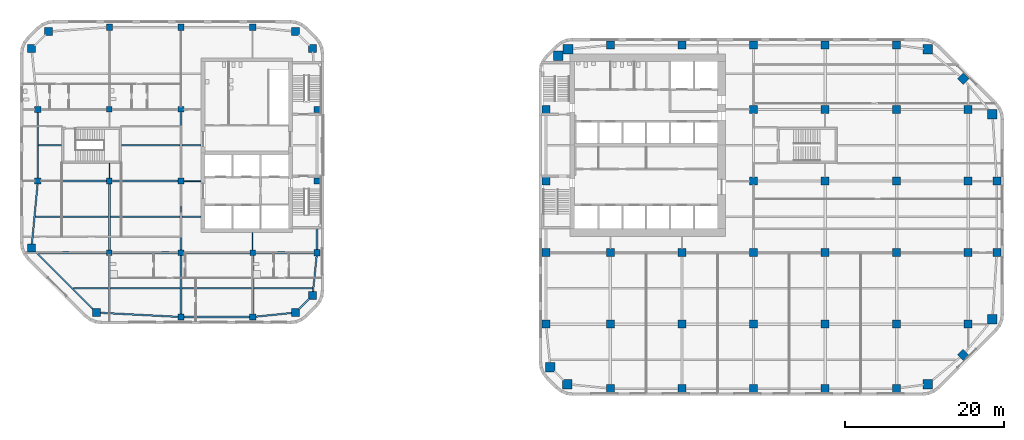
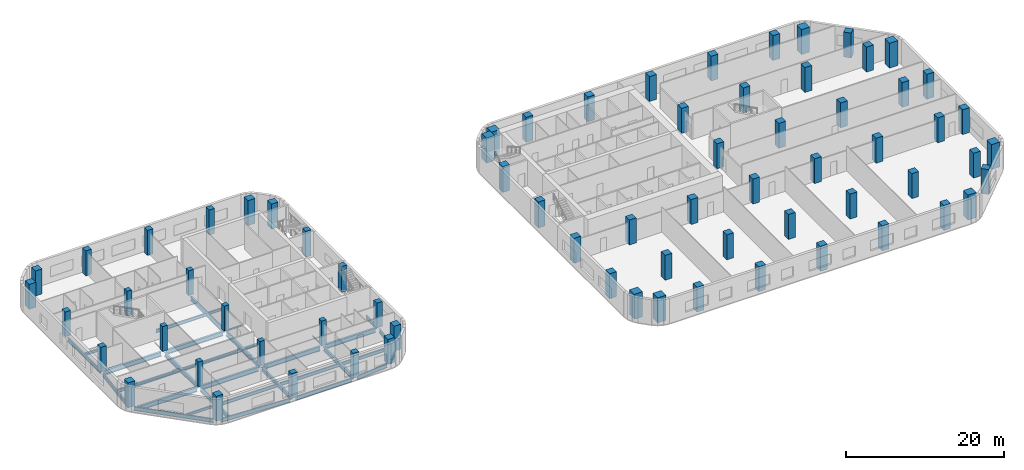
# One storey, part 1 of 15: 71 columns, 34 beams.
"""IFC4 building model written with IfcOpenShell, lengths in metres."""

from ifc_helpers import new_model, si_unit, direction, frame, origin, origin_2d, place, context, subcontext, project, spatial, rectangle, i_section, extrude, material, material_profile, profile_set, type_object, element, save


model = new_model("IFC4")

# Units and contexts
model_context = context("Model", 3, precision=1e-05, world=origin(), true_north=direction((0.0, 1.0)))
body_context = subcontext(model_context, "Body", "Model", "MODEL_VIEW")
ifc_project = project(units=[si_unit("LENGTHUNIT", "METRE"), si_unit("AREAUNIT", "SQUARE_METRE"), si_unit("VOLUMEUNIT", "CUBIC_METRE"), si_unit("PLANEANGLEUNIT", "RADIAN"), si_unit("MASSUNIT", "GRAM", prefix="KILO")], contexts=[model_context])

# Site, building, storey
site_placement = place(None, origin())
site = spatial("IfcSite", under=ifc_project, at=site_placement, CompositionType="ELEMENT")
building_placement = place(site_placement, origin())
building = spatial("IfcBuilding", under=site, at=building_placement, Name="Cinnabar Reach Civic Tower", CompositionType="ELEMENT")
storey_placement = place(building_placement, frame((0.0, 0.0, 63.0)))
storey = spatial("IfcBuildingStorey", under=building, at=storey_placement, Name="L14", CompositionType="ELEMENT", Elevation=63.0)

# Columns
ifc_material_1 = material(Name="Concrete C70", Category="concrete")
ifc_material_profile_1 = material_profile(ifc_material_1, rectangle(XDim=1.0, YDim=1.0, at=origin_2d()), Name="RC1000")
ifc_profile_set_1 = profile_set([ifc_material_profile_1], Name="Concrete C70")
column_type_1 = type_object("IfcColumnType", Name="RC1000 column R 180", PredefinedType="COLUMN", material=ifc_profile_set_1)
for number, where, z_axis, x_axis, name in (
    (1, (-55.6481, 10.4531, 0.0), (0.0, 0.0, 1.0), (1.0, 0.0, 0.0), "Column T2-Z2-CC0"),
    (2, (-30.6019, 10.4531, 0.0), (0.0, 0.0, 1.0), (1.0, 0.0, 0.0), "Column T2-Z2-CC1"),
    (3, (-28.4531, 12.6019, 0.0), (0.0, 0.0, 1.0), (1.0, 0.0, 0.0), "Column T2-Z2-CC2"),
    (4, (-28.4531, 43.6481, 0.0), (0.0, 0.0, 1.0), (1.0, 0.0, 0.0), "Column T2-Z2-CC3"),
    (5, (-30.6019, 45.7969, 0.0), (0.0, 0.0, 1.0), (1.0, 0.0, 0.0), "Column T2-Z2-CC4"),
    (6, (-61.6481, 45.7969, 0.0), (0.0, 0.0, 1.0), (1.0, 0.0, 0.0), "Column T2-Z2-CC5"),
    (7, (-63.7969, 43.6481, 0.0), (0.0, 0.0, 1.0), (1.0, 0.0, 0.0), "Column T2-Z2-CC6"),
    (8, (-63.7969, 18.6019, 0.0), (0.0, 0.0, 1.0), (1.0, 0.0, 0.0), "Column T2-Z2-CC7"),
):
    element("IfcColumn", number, at=place(storey_placement, frame(where, z_axis=z_axis, x_axis=x_axis)), inside=storey, type_object=column_type_1, Name=name, PredefinedType="COLUMN", context=body_context, shape_type="SweptSolid", body=[
        extrude(rectangle(XDim=1.0, YDim=1.0, at=origin_2d()), origin(), (0.0, 0.0, 1.0), 3.85),
    ])
ifc_material_profile_2 = material_profile(ifc_material_1, rectangle(XDim=1.0, YDim=1.0, at=origin_2d()), Name="RC1000")
ifc_profile_set_2 = profile_set([ifc_material_profile_2], Name="Concrete C70")
column_type_2 = type_object("IfcColumnType", Name="RC1000 column R 240", PredefinedType="COLUMN", material=ifc_profile_set_2)
for number, where, z_axis, x_axis, name in (
    (9, (9.0, 0.9, 0.0), (0.0, 0.0, 1.0), (1.0, 0.0, 0.0), "Column T1-Z1-F0-1"),
    (10, (18.0, 0.9, 0.0), (0.0, 0.0, 1.0), (1.0, 0.0, 0.0), "Column T1-Z1-F0-2"),
    (11, (27.0, 0.9, 0.0), (0.0, 0.0, 1.0), (1.0, 0.0, 0.0), "Column T1-Z1-F0-3"),
    (12, (36.0, 0.9, 0.0), (0.0, 0.0, 1.0), (1.0, 0.0, 0.0), "Column T1-Z1-F0-4"),
    (13, (45.0, 0.9, 0.0), (0.0, 0.0, 1.0), (1.0, 0.0, 0.0), "Column T1-Z1-F0-5"),
    (14, (53.3636, 5.1364, 0.0), (0.0, 0.0, 1.0), (0.707106781187, 0.707106781187, 0.0), "Column T1-Z1-F1-M"),
    (15, (57.6, 18.0, 0.0), (0.0, 0.0, 1.0), (1.0, 0.0, 0.0), "Column T1-Z1-F2-2"),
    (16, (57.6, 27.0, 0.0), (0.0, 0.0, 1.0), (1.0, 0.0, 0.0), "Column T1-Z1-F2-3"),
    (17, (53.3636, 39.8636, 0.0), (0.0, 0.0, 1.0), (0.707106781187, 0.707106781187, 0.0), "Column T1-Z1-F3-M"),
    (18, (9.0, 44.1, 0.0), (0.0, 0.0, 1.0), (1.0, 0.0, 0.0), "Column T1-Z1-F4-1"),
    (19, (18.0, 44.1, 0.0), (0.0, 0.0, 1.0), (1.0, 0.0, 0.0), "Column T1-Z1-F4-2"),
    (20, (27.0, 44.1, 0.0), (0.0, 0.0, 1.0), (1.0, 0.0, 0.0), "Column T1-Z1-F4-3"),
    (21, (36.0, 44.1, 0.0), (0.0, 0.0, 1.0), (1.0, 0.0, 0.0), "Column T1-Z1-F4-4"),
    (22, (45.0, 44.1, 0.0), (0.0, 0.0, 1.0), (1.0, 0.0, 0.0), "Column T1-Z1-F4-5"),
    (23, (0.9, 9.0, 0.0), (0.0, 0.0, 1.0), (1.0, 0.0, 0.0), "Column T1-Z1-F6-1"),
    (24, (0.9, 18.0, 0.0), (0.0, 0.0, 1.0), (1.0, 0.0, 0.0), "Column T1-Z1-F6-2"),
):
    element("IfcColumn", number, at=place(storey_placement, frame(where, z_axis=z_axis, x_axis=x_axis)), inside=storey, type_object=column_type_2, Name=name, PredefinedType="COLUMN", context=body_context, shape_type="SweptSolid", body=[
        extrude(rectangle(XDim=1.0, YDim=1.0, at=origin_2d()), origin(), (0.0, 0.0, 1.0), 3.85),
    ])
for number, where, z_axis, x_axis, name in (
    (25, (0.9, 27.0, 0.0), (0.0, 0.0, 1.0), (1.0, 0.0, 0.0), "Column T1-Z1-F6-3"),
    (26, (0.9, 36.0, 0.0), (0.0, 0.0, 1.0), (1.0, 0.0, 0.0), "Column T1-Z1-F6-4"),
):
    element("IfcColumn", number, at=place(storey_placement, frame(where, z_axis=z_axis, x_axis=x_axis)), inside=storey, type_object=column_type_2, Name=name, PredefinedType="COLUMN", context=body_context, shape_type="SweptSolid", body=[
        extrude(rectangle(XDim=1.0, YDim=1.0, at=origin_2d()), origin(), (0.0, 0.0, 1.0), 4.0),
    ])
for number, where, z_axis, x_axis, name in (
    (27, (9.0, 9.0, 0.0), (0.0, 0.0, 1.0), (1.0, 0.0, 0.0), "Column T1-Z1-I9_9"),
    (28, (9.0, 18.0, 0.0), (0.0, 0.0, 1.0), (1.0, 0.0, 0.0), "Column T1-Z1-I9_18"),
    (29, (18.0, 9.0, 0.0), (0.0, 0.0, 1.0), (1.0, 0.0, 0.0), "Column T1-Z1-I18_9"),
    (30, (18.0, 18.0, 0.0), (0.0, 0.0, 1.0), (1.0, 0.0, 0.0), "Column T1-Z1-I18_18"),
    (31, (27.0, 9.0, 0.0), (0.0, 0.0, 1.0), (1.0, 0.0, 0.0), "Column T1-Z1-I27_9"),
    (32, (27.0, 18.0, 0.0), (0.0, 0.0, 1.0), (1.0, 0.0, 0.0), "Column T1-Z1-I27_18"),
    (33, (27.0, 27.0, 0.0), (0.0, 0.0, 1.0), (1.0, 0.0, 0.0), "Column T1-Z1-I27_27"),
    (34, (27.0, 36.0, 0.0), (0.0, 0.0, 1.0), (1.0, 0.0, 0.0), "Column T1-Z1-I27_36"),
    (35, (36.0, 9.0, 0.0), (0.0, 0.0, 1.0), (1.0, 0.0, 0.0), "Column T1-Z1-I36_9"),
    (36, (36.0, 18.0, 0.0), (0.0, 0.0, 1.0), (1.0, 0.0, 0.0), "Column T1-Z1-I36_18"),
    (37, (36.0, 27.0, 0.0), (0.0, 0.0, 1.0), (1.0, 0.0, 0.0), "Column T1-Z1-I36_27"),
    (38, (36.0, 36.0, 0.0), (0.0, 0.0, 1.0), (1.0, 0.0, 0.0), "Column T1-Z1-I36_36"),
    (39, (45.0, 9.0, 0.0), (0.0, 0.0, 1.0), (1.0, 0.0, 0.0), "Column T1-Z1-I45_9"),
    (40, (45.0, 18.0, 0.0), (0.0, 0.0, 1.0), (1.0, 0.0, 0.0), "Column T1-Z1-I45_18"),
    (41, (45.0, 27.0, 0.0), (0.0, 0.0, 1.0), (1.0, 0.0, 0.0), "Column T1-Z1-I45_27"),
    (42, (45.0, 36.0, 0.0), (0.0, 0.0, 1.0), (1.0, 0.0, 0.0), "Column T1-Z1-I45_36"),
    (43, (54.0, 9.0, 0.0), (0.0, 0.0, 1.0), (1.0, 0.0, 0.0), "Column T1-Z1-I54_9"),
    (44, (54.0, 18.0, 0.0), (0.0, 0.0, 1.0), (1.0, 0.0, 0.0), "Column T1-Z1-I54_18"),
    (45, (54.0, 27.0, 0.0), (0.0, 0.0, 1.0), (1.0, 0.0, 0.0), "Column T1-Z1-I54_27"),
    (46, (54.0, 36.0, 0.0), (0.0, 0.0, 1.0), (1.0, 0.0, 0.0), "Column T1-Z1-I54_36"),
):
    element("IfcColumn", number, at=place(storey_placement, frame(where, z_axis=z_axis, x_axis=x_axis)), inside=storey, type_object=column_type_2, Name=name, PredefinedType="COLUMN", context=body_context, shape_type="SweptSolid", body=[
        extrude(rectangle(XDim=1.0, YDim=1.0, at=origin_2d()), origin(), (0.0, 0.0, 1.0), 3.85),
    ])
ifc_material_2 = material(Name="Concrete C80", Category="concrete")
ifc_material_profile_3 = material_profile(ifc_material_2, rectangle(XDim=1.2, YDim=1.2, at=origin_2d()), Name="RC1200")
ifc_profile_set_3 = profile_set([ifc_material_profile_3], Name="Concrete C80")
column_type_3 = type_object("IfcColumnType", Name="RC1200 column R 240", PredefinedType="COLUMN", material=ifc_profile_set_3)
for number, where, z_axis, x_axis, name in (
    (47, (3.6019, 1.4531, 0.0), (0.0, 0.0, 1.0), (1.0, 0.0, 0.0), "Column T1-Z1-CC0"),
    (48, (48.8981, 1.4531, 0.0), (0.0, 0.0, 1.0), (1.0, 0.0, 0.0), "Column T1-Z1-CC1"),
    (49, (57.0469, 9.6019, 0.0), (0.0, 0.0, 1.0), (1.0, 0.0, 0.0), "Column T1-Z1-CC2"),
    (50, (57.0469, 35.3981, 0.0), (0.0, 0.0, 1.0), (1.0, 0.0, 0.0), "Column T1-Z1-CC3"),
    (51, (48.8981, 43.5469, 0.0), (0.0, 0.0, 1.0), (1.0, 0.0, 0.0), "Column T1-Z1-CC4"),
    (52, (3.6666, 43.5737, 0.0), (0.0, 0.0, 1.0), (1.0, 0.0, 0.0), "Column T1-Z1-CC5"),
    (53, (2.4631, 42.75, 0.0), (0.0, 0.0, 1.0), (1.0, 0.0, 0.0), "Column T1-Z1-CC6"),
    (54, (1.4531, 3.6019, 0.0), (0.0, 0.0, 1.0), (1.0, 0.0, 0.0), "Column T1-Z1-CC7"),
):
    element("IfcColumn", number, at=place(storey_placement, frame(where, z_axis=z_axis, x_axis=x_axis)), inside=storey, type_object=column_type_3, Name=name, PredefinedType="COLUMN", context=body_context, shape_type="SweptSolid", body=[
        extrude(rectangle(XDim=1.2, YDim=1.2, at=origin_2d()), origin(), (0.0, 0.0, 1.0), 3.85),
    ])
ifc_material_3 = material(Name="Concrete C60", Category="concrete")
ifc_material_profile_4 = material_profile(ifc_material_3, rectangle(XDim=0.7, YDim=0.7, at=origin_2d()), Name="RC700")
ifc_profile_set_4 = profile_set([ifc_material_profile_4], Name="Concrete C60")
column_type_4 = type_object("IfcColumnType", Name="RC700 column R 180", PredefinedType="COLUMN", material=ifc_profile_set_4)
for number, where, z_axis, x_axis, name in (
    (55, (-54.0, 18.0, 0.0), (0.0, 0.0, 1.0), (1.0, 0.0, 0.0), "Column T2-Z2-I-54_18"),
    (56, (-54.0, 27.0, 0.0), (0.0, 0.0, 1.0), (1.0, 0.0, 0.0), "Column T2-Z2-I-54_27"),
    (57, (-54.0, 36.0, 0.0), (0.0, 0.0, 1.0), (1.0, 0.0, 0.0), "Column T2-Z2-I-54_36"),
    (58, (-45.0, 18.0, 0.0), (0.0, 0.0, 1.0), (1.0, 0.0, 0.0), "Column T2-Z2-I-45_18"),
    (59, (-45.0, 27.0, 0.0), (0.0, 0.0, 1.0), (1.0, 0.0, 0.0), "Column T2-Z2-I-45_27"),
    (60, (-45.0, 36.0, 0.0), (0.0, 0.0, 1.0), (1.0, 0.0, 0.0), "Column T2-Z2-I-45_36"),
    (61, (-36.0, 18.0, 0.0), (0.0, 0.0, 1.0), (1.0, 0.0, 0.0), "Column T2-Z2-I-36_18"),
):
    element("IfcColumn", number, at=place(storey_placement, frame(where, z_axis=z_axis, x_axis=x_axis)), inside=storey, type_object=column_type_4, Name=name, PredefinedType="COLUMN", context=body_context, shape_type="SweptSolid", body=[
        extrude(rectangle(XDim=0.7, YDim=0.7, at=origin_2d()), origin(), (0.0, 0.0, 1.0), 3.85),
    ])
ifc_material_profile_5 = material_profile(ifc_material_3, rectangle(XDim=0.8, YDim=0.8, at=origin_2d()), Name="RC800")
ifc_profile_set_5 = profile_set([ifc_material_profile_5], Name="Concrete C60")
column_type_5 = type_object("IfcColumnType", Name="RC800 column R 180", PredefinedType="COLUMN", material=ifc_profile_set_5)
for number, where, z_axis, x_axis, name in (
    (62, (-45.0, 9.9, 0.0), (0.0, 0.0, 1.0), (1.0, 0.0, 0.0), "Column T2-Z2-F0--5"),
    (63, (-36.0, 9.9, 0.0), (0.0, 0.0, 1.0), (1.0, 0.0, 0.0), "Column T2-Z2-F0--4"),
    (64, (-27.9, 18.0, 0.0), (0.0, 0.0, 1.0), (1.0, 0.0, 0.0), "Column T2-Z2-F2-2"),
):
    element("IfcColumn", number, at=place(storey_placement, frame(where, z_axis=z_axis, x_axis=x_axis)), inside=storey, type_object=column_type_5, Name=name, PredefinedType="COLUMN", context=body_context, shape_type="SweptSolid", body=[
        extrude(rectangle(XDim=0.8, YDim=0.8, at=origin_2d()), origin(), (0.0, 0.0, 1.0), 3.85),
    ])
for number, where, z_axis, x_axis, name in (
    (65, (-27.9, 27.0, 0.0), (0.0, 0.0, 1.0), (1.0, 0.0, 0.0), "Column T2-Z2-F2-3"),
    (66, (-27.9, 36.0, 0.0), (0.0, 0.0, 1.0), (1.0, 0.0, 0.0), "Column T2-Z2-F2-4"),
):
    element("IfcColumn", number, at=place(storey_placement, frame(where, z_axis=z_axis, x_axis=x_axis)), inside=storey, type_object=column_type_5, Name=name, PredefinedType="COLUMN", context=body_context, shape_type="SweptSolid", body=[
        extrude(rectangle(XDim=0.8, YDim=0.8, at=origin_2d()), origin(), (0.0, 0.0, 1.0), 4.0),
    ])
for number, where, z_axis, x_axis, name in (
    (67, (-54.0, 46.35, 0.0), (0.0, 0.0, 1.0), (1.0, 0.0, 0.0), "Column T2-Z2-F4--6"),
    (68, (-45.0, 46.35, 0.0), (0.0, 0.0, 1.0), (1.0, 0.0, 0.0), "Column T2-Z2-F4--5"),
    (69, (-36.0, 46.35, 0.0), (0.0, 0.0, 1.0), (1.0, 0.0, 0.0), "Column T2-Z2-F4--4"),
    (70, (-63.0, 27.0, 0.0), (0.0, 0.0, 1.0), (1.0, 0.0, 0.0), "Column T2-Z2-F6-3"),
    (71, (-63.0, 36.0, 0.0), (0.0, 0.0, 1.0), (1.0, 0.0, 0.0), "Column T2-Z2-F6-4"),
):
    element("IfcColumn", number, at=place(storey_placement, frame(where, z_axis=z_axis, x_axis=x_axis)), inside=storey, type_object=column_type_5, Name=name, PredefinedType="COLUMN", context=body_context, shape_type="SweptSolid", body=[
        extrude(rectangle(XDim=0.8, YDim=0.8, at=origin_2d()), origin(), (0.0, 0.0, 1.0), 3.85),
    ])

# Beams
ifc_material_4 = material(Name="Steel Q355B", Category="steel")
ifc_material_profile_6 = material_profile(ifc_material_4, i_section(OverallWidth=0.302, OverallDepth=0.594, WebThickness=0.014, FlangeThickness=0.023, FilletRadius=0.016, at=origin_2d()), Name="HM594x302x14x23")
ifc_profile_set_6 = profile_set([ifc_material_profile_6], Name="Steel Q355B")
beam_type_1 = type_object("IfcBeamType", Name="HM594x302x14x23 beam R 120", PredefinedType="BEAM", material=ifc_profile_set_6)
beam_1_placement = place(storey_placement, frame((-54.0, 10.4696, -0.447), z_axis=(0.0, 1.0, 0.0), x_axis=(-1.0, 0.0, 0.0)))
element("IfcBeam", 72, at=beam_1_placement, inside=storey, type_object=beam_type_1, Name="Girder T2 L14 1", PredefinedType="BEAM", context=body_context, shape_type="SweptSolid", body=[
    extrude(i_section(OverallWidth=0.302, OverallDepth=0.594, WebThickness=0.014, FlangeThickness=0.023, FilletRadius=0.016, at=origin_2d()), origin(), (0.0, 0.0, 1.0), 7.1784),
])
beam_2_placement = place(storey_placement, frame((-54.0, 18.352, -0.447), z_axis=(0.0, 1.0, 0.0), x_axis=(-1.0, 0.0, 0.0)))
element("IfcBeam", 73, at=beam_2_placement, inside=storey, type_object=beam_type_1, Name="Girder T2 L14 2", PredefinedType="BEAM", context=body_context, shape_type="SweptSolid", body=[
    extrude(i_section(OverallWidth=0.302, OverallDepth=0.594, WebThickness=0.014, FlangeThickness=0.023, FilletRadius=0.016, at=origin_2d()), origin(), (0.0, 0.0, 1.0), 8.296),
])
beam_3_placement = place(storey_placement, frame((-45.0, 10.302, -0.447), z_axis=(0.0, 1.0, 0.0), x_axis=(-1.0, 0.0, 0.0)))
element("IfcBeam", 74, at=beam_3_placement, inside=storey, type_object=beam_type_1, Name="Girder T2 L14 6", PredefinedType="BEAM", context=body_context, shape_type="SweptSolid", body=[
    extrude(i_section(OverallWidth=0.302, OverallDepth=0.594, WebThickness=0.014, FlangeThickness=0.023, FilletRadius=0.016, at=origin_2d()), origin(), (0.0, 0.0, 1.0), 7.346),
])
for number, where, z_axis, x_axis, name in (
    (75, (-45.0, 18.352, -0.447), (0.0, 1.0, 0.0), (-1.0, 0.0, 0.0), "Girder T2 L14 7"),
    (76, (-45.0, 27.352, -0.447), (0.0, 1.0, 0.0), (-1.0, 0.0, 0.0), "Girder T2 L14 8"),
):
    element("IfcBeam", number, at=place(storey_placement, frame(where, z_axis=z_axis, x_axis=x_axis)), inside=storey, type_object=beam_type_1, Name=name, PredefinedType="BEAM", context=body_context, shape_type="SweptSolid", body=[
        extrude(i_section(OverallWidth=0.302, OverallDepth=0.594, WebThickness=0.014, FlangeThickness=0.023, FilletRadius=0.016, at=origin_2d()), origin(), (0.0, 0.0, 1.0), 8.296),
    ])
beam_4_placement = place(storey_placement, frame((-36.0, 10.302, -0.447), z_axis=(0.0, 1.0, 0.0), x_axis=(-1.0, 0.0, 0.0)))
element("IfcBeam", 77, at=beam_4_placement, inside=storey, type_object=beam_type_1, Name="Girder T2 L14 10", PredefinedType="BEAM", context=body_context, shape_type="SweptSolid", body=[
    extrude(i_section(OverallWidth=0.302, OverallDepth=0.594, WebThickness=0.014, FlangeThickness=0.023, FilletRadius=0.016, at=origin_2d()), origin(), (0.0, 0.0, 1.0), 7.346),
])
ifc_material_profile_7 = material_profile(ifc_material_4, i_section(OverallWidth=0.099, OverallDepth=0.198, WebThickness=0.0045, FlangeThickness=0.007, FilletRadius=0.013, at=origin_2d()), Name="HN200x100x5.5x8")
ifc_profile_set_7 = profile_set([ifc_material_profile_7], Name="Steel Q355B")
beam_type_2 = type_object("IfcBeamType", Name="HN200x100x5.5x8 beam R 120", PredefinedType="BEAM", material=ifc_profile_set_7)
beam_5_placement = place(storey_placement, frame((-54.0, 27.352, -0.249), z_axis=(0.0, 1.0, 0.0), x_axis=(-1.0, 0.0, 0.0)))
element("IfcBeam", 78, at=beam_5_placement, inside=storey, type_object=beam_type_2, Name="Girder T2 L14 3", PredefinedType="BEAM", context=body_context, shape_type="SweptSolid", body=[
    extrude(i_section(OverallWidth=0.099, OverallDepth=0.198, WebThickness=0.0045, FlangeThickness=0.007, FilletRadius=0.013, at=origin_2d()), origin(), (0.0, 0.0, 1.0), 1.896),
])
beam_6_placement = place(storey_placement, frame((-36.0, 18.352, -0.249), z_axis=(0.0, 1.0, 0.0), x_axis=(-1.0, 0.0, 0.0)))
element("IfcBeam", 79, at=beam_6_placement, inside=storey, type_object=beam_type_2, Name="Girder T2 L14 11", PredefinedType="BEAM", context=body_context, shape_type="SweptSolid", body=[
    extrude(i_section(OverallWidth=0.099, OverallDepth=0.198, WebThickness=0.0045, FlangeThickness=0.007, FilletRadius=0.013, at=origin_2d()), origin(), (0.0, 0.0, 1.0), 2.146),
])
ifc_material_profile_8 = material_profile(ifc_material_4, i_section(OverallWidth=0.124, OverallDepth=0.248, WebThickness=0.005, FlangeThickness=0.008, FilletRadius=0.013, at=origin_2d()), Name="HN250x125x6x9")
ifc_profile_set_8 = profile_set([ifc_material_profile_8], Name="Steel Q355B")
beam_type_3 = type_object("IfcBeamType", Name="HN250x125x6x9 beam R 120", PredefinedType="BEAM", material=ifc_profile_set_8)
beam_7_placement = place(storey_placement, frame((-44.648, 27.0, -0.274), z_axis=(1.0, 0.0, 0.0), x_axis=(0.0, 1.0, 0.0)))
element("IfcBeam", 80, at=beam_7_placement, inside=storey, type_object=beam_type_3, Name="Girder T2 L14 7", PredefinedType="BEAM", context=body_context, shape_type="SweptSolid", body=[
    extrude(i_section(OverallWidth=0.124, OverallDepth=0.248, WebThickness=0.005, FlangeThickness=0.008, FilletRadius=0.013, at=origin_2d()), origin(), (0.0, 0.0, 1.0), 2.146),
])
ifc_material_profile_9 = material_profile(ifc_material_4, i_section(OverallWidth=0.199, OverallDepth=0.396, WebThickness=0.007, FlangeThickness=0.011, FilletRadius=0.013, at=origin_2d()), Name="HN396x199x7x11")
ifc_profile_set_9 = profile_set([ifc_material_profile_9], Name="Steel Q355B")
beam_type_4 = type_object("IfcBeamType", Name="HN396x199x7x11 beam R 120", PredefinedType="BEAM", material=ifc_profile_set_9)
beam_8_placement = place(storey_placement, frame((-58.5508, 13.5, -0.348), z_axis=(1.0, 0.0, 0.0), x_axis=(0.0, 1.0, 0.0)))
element("IfcBeam", 81, at=beam_8_placement, inside=storey, type_object=beam_type_4, Name="Secondary beam T2 L14 1", PredefinedType="BEAM", context=body_context, shape_type="SweptSolid", body=[
    extrude(i_section(OverallWidth=0.199, OverallDepth=0.396, WebThickness=0.007, FlangeThickness=0.011, FilletRadius=0.013, at=origin_2d()), origin(), (0.0, 0.0, 1.0), 4.3978),
])
beam_9_placement = place(storey_placement, frame((-44.847, 22.5, -0.348), z_axis=(1.0, 0.0, 0.0), x_axis=(0.0, 1.0, 0.0)))
element("IfcBeam", 82, at=beam_9_placement, inside=storey, type_object=beam_type_4, Name="Secondary beam T2 L14 7", PredefinedType="BEAM", context=body_context, shape_type="SweptSolid", body=[
    extrude(i_section(OverallWidth=0.199, OverallDepth=0.396, WebThickness=0.007, FlangeThickness=0.011, FilletRadius=0.013, at=origin_2d()), origin(), (0.0, 0.0, 1.0), 2.345),
])
beam_10_placement = place(storey_placement, frame((-62.898, 31.5, -0.348), z_axis=(1.0, 0.0, 0.0), x_axis=(0.0, 1.0, 0.0)))
element("IfcBeam", 83, at=beam_10_placement, inside=storey, type_object=beam_type_4, Name="Secondary beam T2 L14 8", PredefinedType="BEAM", context=body_context, shape_type="SweptSolid", body=[
    extrude(i_section(OverallWidth=0.199, OverallDepth=0.396, WebThickness=0.007, FlangeThickness=0.011, FilletRadius=0.013, at=origin_2d()), origin(), (0.0, 0.0, 1.0), 2.896),
])
beam_11_placement = place(storey_placement, frame((-44.847, 31.5, -0.348), z_axis=(1.0, 0.0, 0.0), x_axis=(0.0, 1.0, 0.0)))
element("IfcBeam", 84, at=beam_11_placement, inside=storey, type_object=beam_type_4, Name="Secondary beam T2 L14 10", PredefinedType="BEAM", context=body_context, shape_type="SweptSolid", body=[
    extrude(i_section(OverallWidth=0.199, OverallDepth=0.396, WebThickness=0.007, FlangeThickness=0.011, FilletRadius=0.013, at=origin_2d()), origin(), (0.0, 0.0, 1.0), 2.345),
])
ifc_material_profile_10 = material_profile(ifc_material_4, i_section(OverallWidth=0.199, OverallDepth=0.496, WebThickness=0.009, FlangeThickness=0.014, FilletRadius=0.016, at=origin_2d()), Name="HN496x199x9x14")
ifc_profile_set_10 = profile_set([ifc_material_profile_10], Name="Steel Q355B")
beam_type_5 = type_object("IfcBeamType", Name="HN496x199x9x14 beam R 120", PredefinedType="BEAM", material=ifc_profile_set_10)
for number, where, z_axis, x_axis, name in (
    (85, (-53.847, 13.5, -0.398), (1.0, 0.0, 0.0), (0.0, 1.0, 0.0), "Secondary beam T2 L14 2"),
    (86, (-44.847, 13.5, -0.398), (1.0, 0.0, 0.0), (0.0, 1.0, 0.0), "Secondary beam T2 L14 3"),
):
    element("IfcBeam", number, at=place(storey_placement, frame(where, z_axis=z_axis, x_axis=x_axis)), inside=storey, type_object=beam_type_5, Name=name, PredefinedType="BEAM", context=body_context, shape_type="SweptSolid", body=[
        extrude(i_section(OverallWidth=0.199, OverallDepth=0.496, WebThickness=0.009, FlangeThickness=0.014, FilletRadius=0.016, at=origin_2d()), origin(), (0.0, 0.0, 1.0), 8.694),
    ])
beam_12_placement = place(storey_placement, frame((-35.847, 13.5, -0.398), z_axis=(1.0, 0.0, 0.0), x_axis=(0.0, 1.0, 0.0)))
element("IfcBeam", 87, at=beam_12_placement, inside=storey, type_object=beam_type_5, Name="Secondary beam T2 L14 4", PredefinedType="BEAM", context=body_context, shape_type="SweptSolid", body=[
    extrude(i_section(OverallWidth=0.199, OverallDepth=0.496, WebThickness=0.009, FlangeThickness=0.014, FilletRadius=0.016, at=origin_2d()), origin(), (0.0, 0.0, 1.0), 7.3834),
])
beam_13_placement = place(storey_placement, frame((-63.3245, 22.5, -0.398), z_axis=(1.0, 0.0, 0.0), x_axis=(0.0, 1.0, 0.0)))
element("IfcBeam", 88, at=beam_13_placement, inside=storey, type_object=beam_type_5, Name="Secondary beam T2 L14 5", PredefinedType="BEAM", context=body_context, shape_type="SweptSolid", body=[
    extrude(i_section(OverallWidth=0.199, OverallDepth=0.496, WebThickness=0.009, FlangeThickness=0.014, FilletRadius=0.016, at=origin_2d()), origin(), (0.0, 0.0, 1.0), 9.1715),
])
beam_14_placement = place(storey_placement, frame((-53.847, 22.5, -0.398), z_axis=(1.0, 0.0, 0.0), x_axis=(0.0, 1.0, 0.0)))
element("IfcBeam", 89, at=beam_14_placement, inside=storey, type_object=beam_type_5, Name="Secondary beam T2 L14 6", PredefinedType="BEAM", context=body_context, shape_type="SweptSolid", body=[
    extrude(i_section(OverallWidth=0.199, OverallDepth=0.496, WebThickness=0.009, FlangeThickness=0.014, FilletRadius=0.016, at=origin_2d()), origin(), (0.0, 0.0, 1.0), 8.694),
])
beam_15_placement = place(storey_placement, frame((-52.498, 31.5, -0.398), z_axis=(1.0, 0.0, 0.0), x_axis=(0.0, 1.0, 0.0)))
element("IfcBeam", 90, at=beam_15_placement, inside=storey, type_object=beam_type_5, Name="Secondary beam T2 L14 9", PredefinedType="BEAM", context=body_context, shape_type="SweptSolid", body=[
    extrude(i_section(OverallWidth=0.199, OverallDepth=0.496, WebThickness=0.009, FlangeThickness=0.014, FilletRadius=0.016, at=origin_2d()), origin(), (0.0, 0.0, 1.0), 7.345),
])
ifc_material_profile_11 = material_profile(ifc_material_4, i_section(OverallWidth=0.2, OverallDepth=0.6, WebThickness=0.011, FlangeThickness=0.017, FilletRadius=0.016, at=origin_2d()), Name="HN600x200x11x17")
ifc_profile_set_11 = profile_set([ifc_material_profile_11], Name="Steel Q355B")
beam_type_6 = type_object("IfcBeamType", Name="HN600x200x11x17 beam R 120", PredefinedType="BEAM", material=ifc_profile_set_11)
beam_16_placement = place(storey_placement, frame((-55.2661, 10.4333, -0.45), z_axis=(0.998653533726, -0.051876001934, 0.0), x_axis=(0.051876001934, 0.998653533726, 0.0)))
element("IfcBeam", 91, at=beam_16_placement, inside=storey, type_object=beam_type_6, Name="Edge beam T2 L14 1", PredefinedType="BEAM", context=body_context, shape_type="SweptSolid", body=[
    extrude(i_section(OverallWidth=0.2, OverallDepth=0.6, WebThickness=0.011, FlangeThickness=0.017, FilletRadius=0.016, at=origin_2d()), origin(), (0.0, 0.0, 1.0), 9.8774),
])
beam_17_placement = place(storey_placement, frame((-44.598, 9.9, -0.45), z_axis=(1.0, 0.0, 0.0), x_axis=(0.0, 1.0, 0.0)))
element("IfcBeam", 92, at=beam_17_placement, inside=storey, type_object=beam_type_6, Name="Edge beam T2 L14 2", PredefinedType="BEAM", context=body_context, shape_type="SweptSolid", body=[
    extrude(i_section(OverallWidth=0.2, OverallDepth=0.6, WebThickness=0.011, FlangeThickness=0.017, FilletRadius=0.016, at=origin_2d()), origin(), (0.0, 0.0, 1.0), 8.196),
])
beam_18_placement = place(storey_placement, frame((-35.598, 9.9412, -0.45), z_axis=(0.994791084875, 0.101934770579, 0.0), x_axis=(-0.101934770579, 0.994791084875, 0.0)))
element("IfcBeam", 93, at=beam_18_placement, inside=storey, type_object=beam_type_6, Name="Edge beam T2 L14 3", PredefinedType="BEAM", context=body_context, shape_type="SweptSolid", body=[
    extrude(i_section(OverallWidth=0.2, OverallDepth=0.6, WebThickness=0.011, FlangeThickness=0.017, FilletRadius=0.016, at=origin_2d()), origin(), (0.0, 0.0, 1.0), 4.6383),
])
beam_19_placement = place(storey_placement, frame((-30.2199, 10.8351, -0.45), z_axis=(0.707106781187, 0.707106781187, 0.0), x_axis=(-0.707106781187, 0.707106781187, 0.0)))
element("IfcBeam", 94, at=beam_19_placement, inside=storey, type_object=beam_type_6, Name="Edge beam T2 L14 4", PredefinedType="BEAM", context=body_context, shape_type="SweptSolid", body=[
    extrude(i_section(OverallWidth=0.2, OverallDepth=0.6, WebThickness=0.011, FlangeThickness=0.017, FilletRadius=0.016, at=origin_2d()), origin(), (0.0, 0.0, 1.0), 1.9584),
])
beam_20_placement = place(storey_placement, frame((-28.414, 12.9839, -0.45), z_axis=(0.101934770579, 0.994791084875, 0.0), x_axis=(-0.994791084875, 0.101934770579, 0.0)))
element("IfcBeam", 95, at=beam_20_placement, inside=storey, type_object=beam_type_6, Name="Edge beam T2 L14 5", PredefinedType="BEAM", context=body_context, shape_type="SweptSolid", body=[
    extrude(i_section(OverallWidth=0.2, OverallDepth=0.6, WebThickness=0.011, FlangeThickness=0.017, FilletRadius=0.016, at=origin_2d()), origin(), (0.0, 0.0, 1.0), 4.6383),
])
beam_21_placement = place(storey_placement, frame((-27.9, 18.402, -0.45), z_axis=(0.0, 1.0, 0.0), x_axis=(-1.0, 0.0, 0.0)))
element("IfcBeam", 96, at=beam_21_placement, inside=storey, type_object=beam_type_6, Name="Edge beam T2 L14 6", PredefinedType="BEAM", context=body_context, shape_type="SweptSolid", body=[
    extrude(i_section(OverallWidth=0.2, OverallDepth=0.6, WebThickness=0.011, FlangeThickness=0.017, FilletRadius=0.016, at=origin_2d()), origin(), (0.0, 0.0, 1.0), 2.596),
])
beam_22_placement = place(storey_placement, frame((-63.0, 35.598, -0.45), z_axis=(0.0, -1.0, 0.0), x_axis=(1.0, 0.0, 0.0)))
element("IfcBeam", 97, at=beam_22_placement, inside=storey, type_object=beam_type_6, Name="Edge beam T2 L14 16", PredefinedType="BEAM", context=body_context, shape_type="SweptSolid", body=[
    extrude(i_section(OverallWidth=0.2, OverallDepth=0.6, WebThickness=0.011, FlangeThickness=0.017, FilletRadius=0.016, at=origin_2d()), origin(), (0.0, 0.0, 1.0), 8.196),
])
beam_23_placement = place(storey_placement, frame((-63.0381, 26.598, -0.45), z_axis=(-0.094478368886, -0.99552691466, 0.0), x_axis=(0.99552691466, -0.094478368886, 0.0)))
element("IfcBeam", 98, at=beam_23_placement, inside=storey, type_object=beam_type_6, Name="Edge beam T2 L14 17", PredefinedType="BEAM", context=body_context, shape_type="SweptSolid", body=[
    extrude(i_section(OverallWidth=0.2, OverallDepth=0.6, WebThickness=0.011, FlangeThickness=0.017, FilletRadius=0.016, at=origin_2d()), origin(), (0.0, 0.0, 1.0), 7.6483),
])
beam_24_placement = place(storey_placement, frame((-63.4149, 18.2199, -0.45), z_axis=(0.707106781187, -0.707106781187, 0.0), x_axis=(0.707106781187, 0.707106781187, 0.0)))
element("IfcBeam", 99, at=beam_24_placement, inside=storey, type_object=beam_type_6, Name="Edge beam T2 L14 18", PredefinedType="BEAM", context=body_context, shape_type="SweptSolid", body=[
    extrude(i_section(OverallWidth=0.2, OverallDepth=0.6, WebThickness=0.011, FlangeThickness=0.017, FilletRadius=0.016, at=origin_2d()), origin(), (0.0, 0.0, 1.0), 10.4437),
])
ifc_material_profile_12 = material_profile(ifc_material_4, i_section(OverallWidth=0.3, OverallDepth=0.692, WebThickness=0.013, FlangeThickness=0.02, FilletRadius=0.016, at=origin_2d()), Name="HN692x300x13x20")
ifc_profile_set_12 = profile_set([ifc_material_profile_12], Name="Steel Q355B")
beam_type_7 = type_object("IfcBeamType", Name="HN692x300x13x20 beam R 120", PredefinedType="BEAM", material=ifc_profile_set_12)
beam_25_placement = place(storey_placement, frame((-63.0508, 18.0, -0.496), z_axis=(1.0, 0.0, 0.0), x_axis=(0.0, 1.0, 0.0)))
element("IfcBeam", 100, at=beam_25_placement, inside=storey, type_object=beam_type_7, Name="Girder T2 L14 1", PredefinedType="BEAM", context=body_context, shape_type="SweptSolid", body=[
    extrude(i_section(OverallWidth=0.3, OverallDepth=0.692, WebThickness=0.013, FlangeThickness=0.02, FilletRadius=0.016, at=origin_2d()), origin(), (0.0, 0.0, 1.0), 8.6988),
])
for number, where, z_axis, x_axis, name in (
    (101, (-53.648, 18.0, -0.496), (1.0, 0.0, 0.0), (0.0, 1.0, 0.0), "Girder T2 L14 2"),
    (102, (-44.648, 18.0, -0.496), (1.0, 0.0, 0.0), (0.0, 1.0, 0.0), "Girder T2 L14 3"),
):
    element("IfcBeam", number, at=place(storey_placement, frame(where, z_axis=z_axis, x_axis=x_axis)), inside=storey, type_object=beam_type_7, Name=name, PredefinedType="BEAM", context=body_context, shape_type="SweptSolid", body=[
        extrude(i_section(OverallWidth=0.3, OverallDepth=0.692, WebThickness=0.013, FlangeThickness=0.02, FilletRadius=0.016, at=origin_2d()), origin(), (0.0, 0.0, 1.0), 8.296),
    ])
beam_26_placement = place(storey_placement, frame((-35.648, 18.0, -0.496), z_axis=(1.0, 0.0, 0.0), x_axis=(0.0, 1.0, 0.0)))
element("IfcBeam", 103, at=beam_26_placement, inside=storey, type_object=beam_type_7, Name="Girder T2 L14 4", PredefinedType="BEAM", context=body_context, shape_type="SweptSolid", body=[
    extrude(i_section(OverallWidth=0.3, OverallDepth=0.692, WebThickness=0.013, FlangeThickness=0.02, FilletRadius=0.016, at=origin_2d()), origin(), (0.0, 0.0, 1.0), 7.346),
])
beam_27_placement = place(storey_placement, frame((-62.598, 27.0, -0.496), z_axis=(1.0, 0.0, 0.0), x_axis=(0.0, 1.0, 0.0)))
element("IfcBeam", 104, at=beam_27_placement, inside=storey, type_object=beam_type_7, Name="Girder T2 L14 5", PredefinedType="BEAM", context=body_context, shape_type="SweptSolid", body=[
    extrude(i_section(OverallWidth=0.3, OverallDepth=0.692, WebThickness=0.013, FlangeThickness=0.02, FilletRadius=0.016, at=origin_2d()), origin(), (0.0, 0.0, 1.0), 8.246),
])
beam_28_placement = place(storey_placement, frame((-53.648, 27.0, -0.496), z_axis=(1.0, 0.0, 0.0), x_axis=(0.0, 1.0, 0.0)))
element("IfcBeam", 105, at=beam_28_placement, inside=storey, type_object=beam_type_7, Name="Girder T2 L14 6", PredefinedType="BEAM", context=body_context, shape_type="SweptSolid", body=[
    extrude(i_section(OverallWidth=0.3, OverallDepth=0.692, WebThickness=0.013, FlangeThickness=0.02, FilletRadius=0.016, at=origin_2d()), origin(), (0.0, 0.0, 1.0), 8.296),
])

save(model, "model.ifc")
